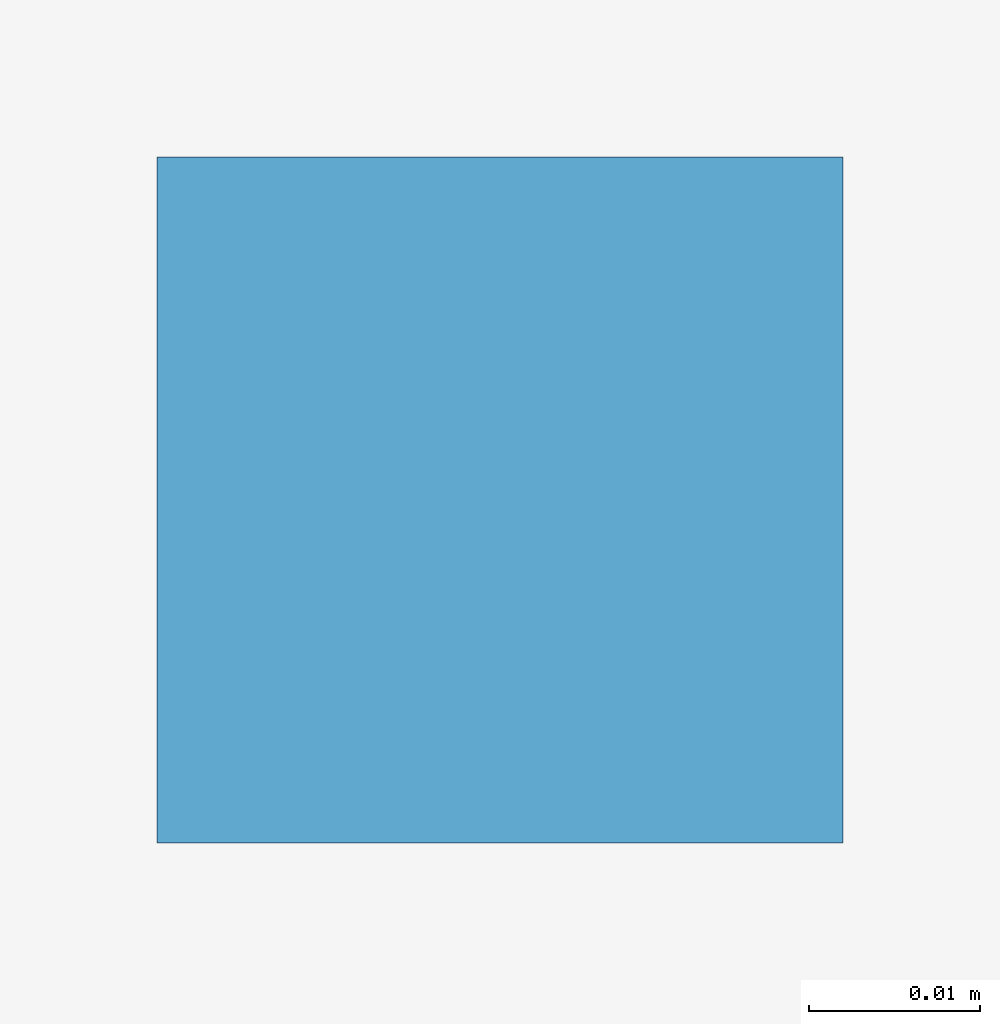
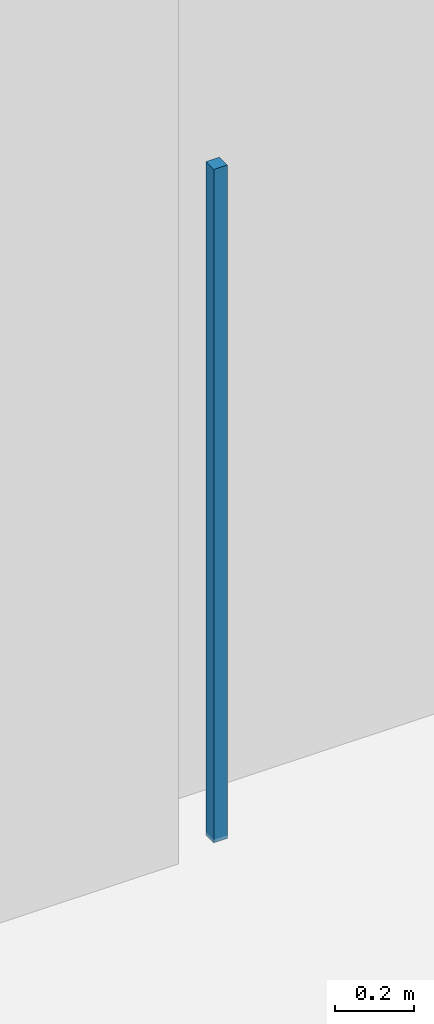
# One storey, part 83 of 167: 1 discrete accessory.
"""IFC4 building model written with IfcOpenShell, lengths in metres."""

from ifc_helpers import new_model, si_unit, direction, frame, origin, origin_2d, place, context, subcontext, project, spatial, rectangle, extrude, material, type_object, element, save


model = new_model("IFC4")

# Units and contexts
model_context = context("Model", 3, precision=1e-05, world=origin(), true_north=direction((0.0, 1.0)))
body_context = subcontext(model_context, "Body", "Model", "MODEL_VIEW")
ifc_project = project(units=[si_unit("LENGTHUNIT", "METRE"), si_unit("AREAUNIT", "SQUARE_METRE"), si_unit("VOLUMEUNIT", "CUBIC_METRE"), si_unit("PLANEANGLEUNIT", "RADIAN"), si_unit("MASSUNIT", "GRAM", prefix="KILO")], contexts=[model_context])

# Site, building, storey
site_placement = place(None, origin())
site = spatial("IfcSite", under=ifc_project, at=site_placement, CompositionType="ELEMENT")
building_placement = place(site_placement, origin())
building = spatial("IfcBuilding", under=site, at=building_placement, Name="Varncliffe General Hospital", CompositionType="ELEMENT")
storey_placement = place(building_placement, origin())
storey = spatial("IfcBuildingStorey", under=building, at=storey_placement, Name="L00", CompositionType="ELEMENT", Elevation=0.0)

# Discrete accessory
ifc_material = material(Name="Powder-coated hospital steel guardrail and handrail", Category="steel")
discrete_accessory_type = type_object("IfcDiscreteAccessoryType", Name="Suspended Ceiling Hanger Bracket CH01", PredefinedType="BRACKET", material=ifc_material)
discrete_accessory_placement = place(storey_placement, frame((6.60009765625, 28.199951171875, 3.18994140625), z_axis=(0.0, 0.0, 1.0), x_axis=(1.0, 0.0, 0.0)))
element("IfcDiscreteAccessory", 1, at=discrete_accessory_placement, inside=storey, type_object=discrete_accessory_type, Name="L00 Suspended Ceiling Hanger 22", PredefinedType="BRACKET", context=body_context, shape_type="SweptSolid", body=[
    extrude(rectangle(XDim=0.0400390625, YDim=0.0400390625, at=origin_2d()), origin(), (0.0, 0.0, 1.0), 2.090087890625),
])

save(model, "model.ifc")
